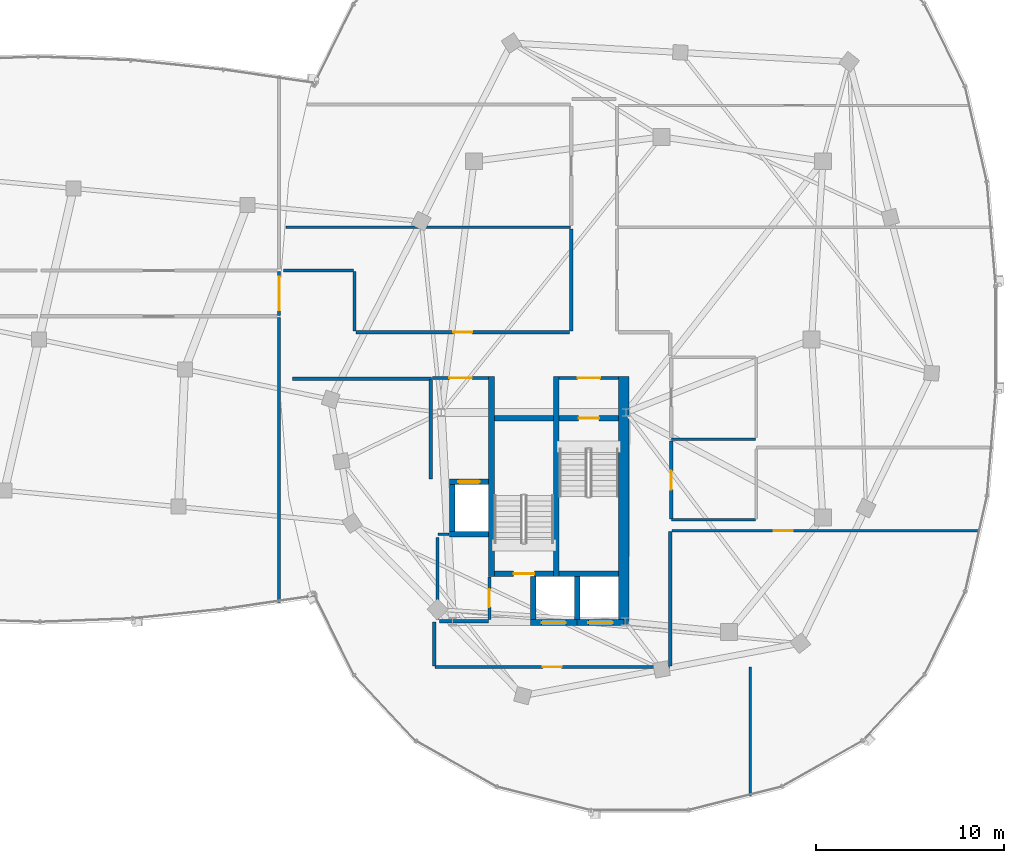
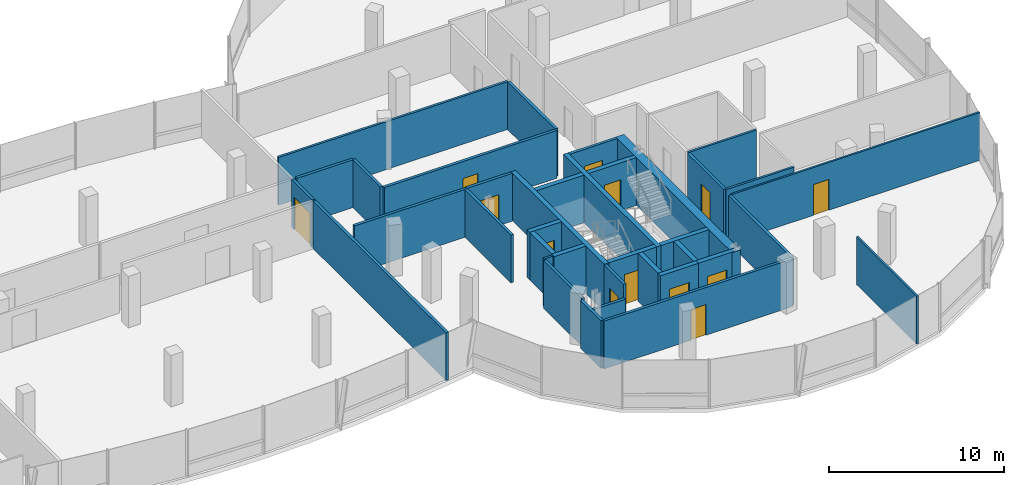
# One storey, part 16 of 25: 37 walls, 13 doors, 13 openings.
"""IFC4 building model written with IfcOpenShell, lengths in metres."""

from ifc_helpers import new_model, si_unit, direction, frame, frame_2d, origin, place, context, subcontext, project, spatial, rectangle, extrude, material, layer, layer_set, type_object, element, fill, save


model = new_model("IFC4")

# Units and contexts
model_context = context("Model", 3, precision=1e-05, world=origin(), true_north=direction((0.0, 1.0)))
body_context = subcontext(model_context, "Body", "Model", "MODEL_VIEW")
ifc_project = project(units=[si_unit("LENGTHUNIT", "METRE"), si_unit("AREAUNIT", "SQUARE_METRE"), si_unit("VOLUMEUNIT", "CUBIC_METRE"), si_unit("PLANEANGLEUNIT", "RADIAN"), si_unit("MASSUNIT", "GRAM", prefix="KILO"), si_unit("THERMODYNAMICTEMPERATUREUNIT", "KELVIN"), si_unit("POWERUNIT", "WATT")], contexts=[model_context])

# Site, building, storey
site_placement = place(None, origin())
site = spatial("IfcSite", under=ifc_project, at=site_placement, CompositionType="ELEMENT")
building_placement = place(site_placement, origin())
building = spatial("IfcBuilding", under=site, at=building_placement, Name="Cundina Bronze Exchange", CompositionType="ELEMENT")
storey_placement = place(building_placement, frame((0.0, 0.0, 246.800048828125)))
storey = spatial("IfcBuildingStorey", under=building, at=storey_placement, Name="L65", CompositionType="ELEMENT", Elevation=246.800048828125)

# Wall
ifc_material_1 = material(Name="Gypsum Fireboard Partition EI120")
ifc_layer_1 = layer(ifc_material_1, 0.179931640625, Name="Gypsum Fireboard Partition EI120")
ifc_layer_set_1 = layer_set([ifc_layer_1], Name="Gypsum Fireboard Partition EI120")
wall_type_1 = type_object("IfcWallType", Name="WL-COR-180", PredefinedType="PARTITIONING", material=ifc_layer_set_1)
wall_1_placement = place(storey_placement, frame((20.889892578125, -7.449951171875, 0.0), z_axis=(0.0, 0.0, 1.0), x_axis=(0.0, 1.0, 0.0)))
element("IfcWall", 1, at=wall_1_placement, inside=storey, type_object=wall_type_1, Name="L65 E Firefighting Lobby Side Wall", PredefinedType="PARTITIONING", context=body_context, shape_type="SweptSolid", body=[
    extrude(rectangle(XDim=5.300048828125, YDim=0.179931640625, at=frame_2d((2.64990234375, 0.0))), origin(), (0.0, 0.0, 1.0), 3.33984375),
])

# Wall, opening, door
wall_2_placement = place(storey_placement, frame((20.97998046875, -2.06005859375, 0.0), z_axis=(0.0, 0.0, 1.0), x_axis=(1.0, 0.0, 0.0)))
wall_2 = element("IfcWall", 2, at=wall_2_placement, inside=storey, type_object=wall_type_1, Name="L65 E Firefighting Lobby Exit Wall", PredefinedType="PARTITIONING", context=body_context, shape_type="SweptSolid", body=[
    extrude(rectangle(XDim=3.0, YDim=0.179931640625, at=frame_2d((1.5, 0.0))), origin(), (0.0, 0.0, 1.0), 3.33984375),
])
opening_1_placement = place(wall_2_placement, frame((0.89990234375, 0.0, 0.0)))
opening_1 = element("IfcOpeningElement", 3, at=opening_1_placement, cuts=wall_2, Name="Opening DF-01", PredefinedType="OPENING", context=body_context, shape_type="SweptSolid", body=[
    extrude(rectangle(XDim=1.199951171875, YDim=2.14990234375, at=frame_2d((0.60009765625, 1.074951171875))), frame((0.0, 0.099853515625, 0.0), z_axis=(0.0, -1.0, 0.0), x_axis=(1.0, 0.0, 0.0)), (0.0, 0.0, 1.0), 0.199951171875),
])
ifc_material_2 = material(Name="Steel ASTM A36 Painted", Category="steel")
door_type_1 = type_object("IfcDoorType", Name="DR-FFL-1200", OperationType="NOTDEFINED", PredefinedType="DOOR", material=ifc_material_2)
door_1_placement = place(opening_1_placement, origin())
door_1 = element("IfcDoor", 4, at=door_1_placement, inside=storey, type_object=door_type_1, Name="L65 E Firefighting Lobby Door", OperationType="SINGLE_SWING_LEFT", OverallHeight=2.14990234375, OverallWidth=1.199951171875, PredefinedType="DOOR", context=body_context, shape_type="SweptSolid", body=[
    extrude(rectangle(XDim=1.199951171875, YDim=2.14990234375, at=frame_2d((0.60009765625, 1.074951171875))), frame((0.0, 0.02490234375, 0.0), z_axis=(0.0, -1.0, 0.0), x_axis=(1.0, 0.0, 0.0)), (0.0, 0.0, 1.0), 0.050048828125),
])
fill(opening_1, door_1)

wall_3_placement = place(storey_placement, frame((27.739990234375, -2.06005859375, 0.0), z_axis=(0.0, 0.0, 1.0), x_axis=(1.0, 0.0, 0.0)))
wall_3 = element("IfcWall", 5, at=wall_3_placement, inside=storey, type_object=wall_type_1, Name="L65 E Stair Vestibule Exit Wall", PredefinedType="PARTITIONING", context=body_context, shape_type="SweptSolid", body=[
    extrude(rectangle(XDim=3.159912109375, YDim=0.179931640625, at=frame_2d((1.580078125, 0.0))), origin(), (0.0, 0.0, 1.0), 3.33984375),
])
opening_2_placement = place(wall_3_placement, frame((0.97998046875, 0.0, 0.0)))
opening_2 = element("IfcOpeningElement", 6, at=opening_2_placement, cuts=wall_3, Name="Opening DF-01", PredefinedType="OPENING", context=body_context, shape_type="SweptSolid", body=[
    extrude(rectangle(XDim=1.199951171875, YDim=2.14990234375, at=frame_2d((0.60009765625, 1.074951171875))), frame((0.0, 0.099853515625, 0.0), z_axis=(0.0, -1.0, 0.0), x_axis=(1.0, 0.0, 0.0)), (0.0, 0.0, 1.0), 0.199951171875),
])
door_2_placement = place(opening_2_placement, origin())
door_2 = element("IfcDoor", 7, at=door_2_placement, inside=storey, type_object=door_type_1, Name="L65 E Stair Vestibule Door", OperationType="SINGLE_SWING_RIGHT", OverallHeight=2.14990234375, OverallWidth=1.199951171875, PredefinedType="DOOR", context=body_context, shape_type="SweptSolid", body=[
    extrude(rectangle(XDim=1.199951171875, YDim=2.14990234375, at=frame_2d((0.60009765625, 1.074951171875))), frame((0.0, 0.02490234375, 0.0), z_axis=(0.0, -1.0, 0.0), x_axis=(1.0, 0.0, 0.0)), (0.0, 0.0, 1.0), 0.050048828125),
])
fill(opening_2, door_2)

# Walls
wall_4_placement = place(storey_placement, frame((21.25, -14.929931640625, 0.0), z_axis=(0.0, 0.0, 1.0), x_axis=(0.0, 1.0, 0.0)))
element("IfcWall", 8, at=wall_4_placement, inside=storey, type_object=wall_type_1, Name="L65 Interior Partition 037", PredefinedType="PARTITIONING", context=body_context, shape_type="SweptSolid", body=[
    extrude(rectangle(XDim=4.35986328125, YDim=0.179931640625, at=frame_2d((2.179931640625, 0.0))), origin(), (0.0, 0.0, 1.0), 3.33984375),
])
wall_5_placement = place(storey_placement, frame((21.35009765625, -15.030029296875, 0.0), z_axis=(0.0, 0.0, 1.0), x_axis=(1.0, 0.0, 0.0)))
element("IfcWall", 9, at=wall_5_placement, inside=storey, type_object=wall_type_1, Name="L65 Interior Partition 038", PredefinedType="PARTITIONING", context=body_context, shape_type="SweptSolid", body=[
    extrude(rectangle(XDim=2.60986328125, YDim=0.179931640625, at=frame_2d((1.304931640625, 0.0))), origin(), (0.0, 0.0, 1.0), 2.412841796875),
])

# Wall, opening, door
wall_6_placement = place(storey_placement, frame((24.02001953125, -14.929931640625, 0.0), z_axis=(0.0, 0.0, 1.0), x_axis=(0.0, 1.0, 0.0)))
wall_6 = element("IfcWall", 10, at=wall_6_placement, inside=storey, type_object=wall_type_1, Name="L65 Interior Partition 039", PredefinedType="PARTITIONING", context=body_context, shape_type="SweptSolid", body=[
    extrude(rectangle(XDim=2.260009765625, YDim=0.179931640625, at=frame_2d((1.1298828125, 0.0))), origin(), (0.0, 0.0, 1.0), 3.33984375),
])
opening_3_placement = place(wall_6_placement, frame((0.655029296875, 0.0, 0.0)))
opening_3 = element("IfcOpeningElement", 11, at=opening_3_placement, cuts=wall_6, Name="Opening DW-01", PredefinedType="OPENING", context=body_context, shape_type="SweptSolid", body=[
    extrude(rectangle(XDim=0.949951171875, YDim=2.10009765625, at=frame_2d((0.47509765625, 1.050048828125))), frame((0.0, 0.099853515625, 0.0), z_axis=(0.0, -1.0, 0.0), x_axis=(1.0, 0.0, 0.0)), (0.0, 0.0, 1.0), 0.199951171875),
])
ifc_material_3 = material(Name="Solid Andean Oak Timber Grade A", Category="wood")
door_type_2 = type_object("IfcDoorType", Name="DR-WC-950", OperationType="NOTDEFINED", PredefinedType="DOOR", material=ifc_material_3)
door_3_placement = place(opening_3_placement, origin())
door_3 = element("IfcDoor", 12, at=door_3_placement, inside=storey, type_object=door_type_2, Name="L65 Interior Door 039", OperationType="SINGLE_SWING_LEFT", OverallHeight=2.10009765625, OverallWidth=0.949951171875, PredefinedType="DOOR", context=body_context, shape_type="SweptSolid", body=[
    extrude(rectangle(XDim=0.949951171875, YDim=2.10009765625, at=frame_2d((0.47509765625, 1.050048828125))), frame((0.0, 0.02490234375, 0.0), z_axis=(0.0, -1.0, 0.0), x_axis=(1.0, 0.0, 0.0)), (0.0, 0.0, 1.0), 0.050048828125),
])
fill(opening_3, door_3)

wall_7_placement = place(storey_placement, frame((33.719970703125, -9.590087890625, 0.0), z_axis=(0.0, 0.0, 1.0), x_axis=(0.0, 1.0, 0.0)))
wall_7 = element("IfcWall", 13, at=wall_7_placement, inside=storey, type_object=wall_type_1, Name="L65 Interior Partition 046", PredefinedType="PARTITIONING", context=body_context, shape_type="SweptSolid", body=[
    extrude(rectangle(XDim=4.16015625, YDim=0.179931640625, at=frame_2d((2.080078125, 0.0))), origin(), (0.0, 0.0, 1.0), 3.33984375),
])
opening_4_placement = place(wall_7_placement, frame((1.580078125, 0.0, 0.0)))
opening_4 = element("IfcOpeningElement", 14, at=opening_4_placement, cuts=wall_7, Name="Opening DO-01", PredefinedType="OPENING", context=body_context, shape_type="SweptSolid", body=[
    extrude(rectangle(XDim=1.0, YDim=2.14990234375, at=frame_2d((0.5, 1.074951171875))), frame((0.0, 0.099853515625, 0.0), z_axis=(0.0, -1.0, 0.0), x_axis=(1.0, 0.0, 0.0)), (0.0, 0.0, 1.0), 0.199951171875),
])
door_type_3 = type_object("IfcDoorType", Name="DR-OFF-1000", OperationType="NOTDEFINED", PredefinedType="DOOR", material=ifc_material_3)
door_4_placement = place(opening_4_placement, origin())
door_4 = element("IfcDoor", 15, at=door_4_placement, inside=storey, type_object=door_type_3, Name="L65 Interior Door 046", OperationType="SINGLE_SWING_LEFT", OverallHeight=2.14990234375, OverallWidth=1.0, PredefinedType="DOOR", context=body_context, shape_type="SweptSolid", body=[
    extrude(rectangle(XDim=1.0, YDim=2.14990234375, at=frame_2d((0.5, 1.074951171875))), frame((0.0, 0.02490234375, 0.0), z_axis=(0.0, -1.0, 0.0), x_axis=(1.0, 0.0, 0.0)), (0.0, 0.0, 1.0), 0.050048828125),
])
fill(opening_4, door_4)

wall_8_placement = place(storey_placement, frame((21.12158203125, -17.469970703125, 0.0), z_axis=(0.0, 0.0, 1.0), x_axis=(1.0, 0.0, 0.0)))
wall_8 = element("IfcWall", 16, at=wall_8_placement, inside=storey, type_object=wall_type_1, Name="L65 Interior Partition 052", PredefinedType="PARTITIONING", context=body_context, shape_type="SweptSolid", body=[
    extrude(rectangle(XDim=12.5068359375, YDim=0.179931640625, at=frame_2d((6.25341796875, 0.0))), origin(), (0.0, 0.0, 1.0), 3.33984375),
])
opening_5_placement = place(wall_8_placement, frame((5.75341796875, 0.0, 0.0)))
opening_5 = element("IfcOpeningElement", 17, at=opening_5_placement, cuts=wall_8, Name="Opening DO-01", PredefinedType="OPENING", context=body_context, shape_type="SweptSolid", body=[
    extrude(rectangle(XDim=1.0, YDim=2.14990234375, at=frame_2d((0.5, 1.074951171875))), frame((0.0, 0.099853515625, 0.0), z_axis=(0.0, -1.0, 0.0), x_axis=(1.0, 0.0, 0.0)), (0.0, 0.0, 1.0), 0.199951171875),
])
door_5_placement = place(opening_5_placement, origin())
door_5 = element("IfcDoor", 18, at=door_5_placement, inside=storey, type_object=door_type_3, Name="L65 Interior Door 052", OperationType="SINGLE_SWING_LEFT", OverallHeight=2.14990234375, OverallWidth=1.0, PredefinedType="DOOR", context=body_context, shape_type="SweptSolid", body=[
    extrude(rectangle(XDim=1.0, YDim=2.14990234375, at=frame_2d((0.5, 1.074951171875))), frame((0.0, 0.02490234375, 0.0), z_axis=(0.0, -1.0, 0.0), x_axis=(1.0, 0.0, 0.0)), (0.0, 0.0, 1.0), 0.050048828125),
])
fill(opening_5, door_5)

# Walls
wall_9_placement = place(storey_placement, frame((13.521484375, -2.10009765625, 0.0), z_axis=(0.0, 0.0, 1.0), x_axis=(1.0, 0.0, 0.0)))
element("IfcWall", 19, at=wall_9_placement, inside=storey, type_object=wall_type_1, Name="L65 Interior Partition 053", PredefinedType="PARTITIONING", context=body_context, shape_type="SweptSolid", body=[
    extrude(rectangle(XDim=7.3984375, YDim=0.179931640625, at=frame_2d((3.69921875, 0.0))), origin(), (0.0, 0.0, 1.0), 3.33984375),
])
wall_10_placement = place(storey_placement, frame((33.669921875, -17.428466796875, 0.0), z_axis=(0.0, 0.0, 1.0), x_axis=(0.0, 1.0, 0.0)))
element("IfcWall", 20, at=wall_10_placement, inside=storey, type_object=wall_type_1, Name="L65 Interior Partition 054", PredefinedType="PARTITIONING", context=body_context, shape_type="SweptSolid", body=[
    extrude(rectangle(XDim=7.178466796875, YDim=0.179931640625, at=frame_2d((3.58935546875, 0.0))), origin(), (0.0, 0.0, 1.0), 3.33984375),
])
wall_11_placement = place(storey_placement, frame((21.080078125, -15.071533203125, 0.0), z_axis=(0.0, 0.0, 1.0), x_axis=(0.0, -1.0, 0.0)))
element("IfcWall", 21, at=wall_11_placement, inside=storey, type_object=wall_type_1, Name="L65 Interior Partition 055", PredefinedType="PARTITIONING", context=body_context, shape_type="SweptSolid", body=[
    extrude(rectangle(XDim=2.35693359375, YDim=0.179931640625, at=frame_2d((1.178466796875, 0.0))), origin(), (0.0, 0.0, 1.0), 3.33984375),
])

# Wall, opening, door
wall_12_placement = place(storey_placement, frame((28.300048828125, 0.3701171875, 0.0), z_axis=(0.0, 0.0, 1.0), x_axis=(-1.0, 0.0, 0.0)))
wall_12 = element("IfcWall", 22, at=wall_12_placement, inside=storey, type_object=wall_type_1, Name="L65 Interior Partition 059", PredefinedType="PARTITIONING", context=body_context, shape_type="SweptSolid", body=[
    extrude(rectangle(XDim=11.400146484375, YDim=0.179931640625, at=frame_2d((5.7001953125, 0.0))), origin(), (0.0, 0.0, 1.0), 3.33984375),
])
opening_6_placement = place(wall_12_placement, frame((5.199951171875, 0.0, 0.0)))
opening_6 = element("IfcOpeningElement", 23, at=opening_6_placement, cuts=wall_12, Name="Opening DO-01", PredefinedType="OPENING", context=body_context, shape_type="SweptSolid", body=[
    extrude(rectangle(XDim=1.0, YDim=2.14990234375, at=frame_2d((0.5, 1.074951171875))), frame((0.0, 0.099853515625, 0.0), z_axis=(0.0, -1.0, 0.0), x_axis=(1.0, 0.0, 0.0)), (0.0, 0.0, 1.0), 0.199951171875),
])
door_6_placement = place(opening_6_placement, origin())
door_6 = element("IfcDoor", 24, at=door_6_placement, inside=storey, type_object=door_type_3, Name="L65 Interior Door 059", OperationType="SINGLE_SWING_LEFT", OverallHeight=2.14990234375, OverallWidth=1.0, PredefinedType="DOOR", context=body_context, shape_type="SweptSolid", body=[
    extrude(rectangle(XDim=1.0, YDim=2.14990234375, at=frame_2d((0.5, 1.074951171875))), frame((0.0, 0.02490234375, 0.0), z_axis=(0.0, -1.0, 0.0), x_axis=(1.0, 0.0, 0.0)), (0.0, 0.0, 1.0), 0.050048828125),
])
fill(opening_6, door_6)

# Walls
wall_13_placement = place(storey_placement, frame((28.3798828125, 5.889892578125, 0.0), z_axis=(0.0, 0.0, 1.0), x_axis=(0.0, -1.0, 0.0)))
element("IfcWall", 25, at=wall_13_placement, inside=storey, type_object=wall_type_1, Name="L65 Interior Partition 060", PredefinedType="PARTITIONING", context=body_context, shape_type="SweptSolid", body=[
    extrude(rectangle(XDim=5.43994140625, YDim=0.179931640625, at=frame_2d((2.719970703125, 0.0))), origin(), (0.0, 0.0, 1.0), 3.33984375),
])
wall_14_placement = place(storey_placement, frame((16.778564453125, 3.669921875, 0.0), z_axis=(0.0, 0.0, 1.0), x_axis=(-1.0, 0.0, 0.0)))
element("IfcWall", 26, at=wall_14_placement, inside=storey, type_object=wall_type_1, Name="L65 Interior Partition 061", PredefinedType="PARTITIONING", context=body_context, shape_type="SweptSolid", body=[
    extrude(rectangle(XDim=3.7529296875, YDim=0.179931640625, at=frame_2d((1.87646484375, 0.0))), origin(), (0.0, 0.0, 1.0), 3.33984375),
])
wall_15_placement = place(storey_placement, frame((16.820068359375, 0.449951171875, 0.0), z_axis=(0.0, 0.0, 1.0), x_axis=(0.0, 1.0, 0.0)))
element("IfcWall", 27, at=wall_15_placement, inside=storey, type_object=wall_type_1, Name="L65 Interior Partition 062", PredefinedType="PARTITIONING", context=body_context, shape_type="SweptSolid", body=[
    extrude(rectangle(XDim=3.178466796875, YDim=0.179931640625, at=frame_2d((1.58935546875, 0.0))), origin(), (0.0, 0.0, 1.0), 3.33984375),
])
wall_16_placement = place(storey_placement, frame((12.800048828125, -14.043701171875, 0.0), z_axis=(0.0, 0.0, 1.0), x_axis=(0.0, 1.0, 0.0)))
element("IfcWall", 28, at=wall_16_placement, inside=storey, type_object=wall_type_1, Name="L65 Interior Partition 076", PredefinedType="PARTITIONING", context=body_context, shape_type="SweptSolid", body=[
    extrude(rectangle(XDim=15.20361328125, YDim=0.179931640625, at=frame_2d((7.601806640625, 0.0))), origin(), (0.0, 0.0, 1.0), 3.33984375),
])

# Wall, opening, door
wall_17_placement = place(storey_placement, frame((12.800048828125, 1.280029296875, 0.0), z_axis=(0.0, 0.0, 1.0), x_axis=(0.0, 1.0, 0.0)))
wall_17 = element("IfcWall", 29, at=wall_17_placement, inside=storey, type_object=wall_type_1, Name="L65 Interior Partition 078", PredefinedType="PARTITIONING", context=body_context, shape_type="SweptSolid", body=[
    extrude(rectangle(XDim=2.340087890625, YDim=0.179931640625, at=frame_2d((1.169921875, 0.0))), origin(), (0.0, 0.0, 1.0), 3.33984375),
])
opening_7_placement = place(wall_17_placement, frame((0.27001953125, 0.0, 0.0)))
opening_7 = element("IfcOpeningElement", 30, at=opening_7_placement, cuts=wall_17, Name="Opening DB-01", PredefinedType="OPENING", context=body_context, shape_type="SweptSolid", body=[
    extrude(rectangle(XDim=1.800048828125, YDim=2.25, at=frame_2d((0.89990234375, 1.125))), frame((0.0, 0.099853515625, 0.0), z_axis=(0.0, -1.0, 0.0), x_axis=(1.0, 0.0, 0.0)), (0.0, 0.0, 1.0), 0.199951171875),
])
door_type_4 = type_object("IfcDoorType", Name="DR-BRG-1800", OperationType="NOTDEFINED", PredefinedType="DOOR", material=ifc_material_2)
door_7_placement = place(opening_7_placement, origin())
door_7 = element("IfcDoor", 31, at=door_7_placement, inside=storey, type_object=door_type_4, Name="L65 Interior Door 078", OperationType="DOUBLE_DOOR_SINGLE_SWING", OverallHeight=2.25, OverallWidth=1.800048828125, PredefinedType="DOOR", context=body_context, shape_type="SweptSolid", body=[
    extrude(rectangle(XDim=1.800048828125, YDim=2.25, at=frame_2d((0.89990234375, 1.125))), frame((0.0, 0.02490234375, 0.0), z_axis=(0.0, -1.0, 0.0), x_axis=(1.0, 0.0, 0.0)), (0.0, 0.0, 1.0), 0.050048828125),
])
fill(opening_7, door_7)

# Walls
ifc_material_4 = material(Name="Concrete C50/60", Category="concrete")
ifc_layer_2 = layer(ifc_material_4, 0.550048828125, Name="Concrete C50/60", Category="concrete")
ifc_layer_set_2 = layer_set([ifc_layer_2], Name="Concrete C50/60")
wall_type_2 = type_object("IfcWallType", Name="WL-CORE-550", PredefinedType="SHEAR", material=ifc_layer_set_2)
wall_18_placement = place(storey_placement, frame((31.175048828125, -15.300048828125, 0.0), z_axis=(0.0, 0.0, 1.0), x_axis=(0.0, 1.0, 0.0)))
element("IfcWall", 32, at=wall_18_placement, inside=storey, type_object=wall_type_2, Name="L65 E Primary Core Shear Spine Wall", PredefinedType="SHEAR", context=body_context, shape_type="SweptSolid", body=[
    extrude(rectangle(XDim=13.330078125, YDim=0.550048828125, at=frame_2d((6.6650390625, 0.0))), origin(), (0.0, 0.0, 1.0), 3.33984375),
])
ifc_material_5 = material(Name="Gypsum Acoustic Partition EI60")
ifc_layer_3 = layer(ifc_material_5, 0.125, Name="Gypsum Acoustic Partition EI60")
ifc_layer_set_3 = layer_set([ifc_layer_3], Name="Gypsum Acoustic Partition EI60")
wall_type_3 = type_object("IfcWallType", Name="WL-OFF-125", PredefinedType="PARTITIONING", material=ifc_layer_set_3)
wall_19_placement = place(storey_placement, frame((37.919921875, -24.3603515625, 0.0), z_axis=(0.0, 0.0, 1.0), x_axis=(0.0, 1.0, 0.0)))
element("IfcWall", 33, at=wall_19_placement, inside=storey, type_object=wall_type_3, Name="L65 Interior Partition 051", PredefinedType="PARTITIONING", context=body_context, shape_type="SweptSolid", body=[
    extrude(rectangle(XDim=6.890380859375, YDim=0.125, at=frame_2d((3.4453125, 0.0))), origin(), (0.0, 0.0, 1.0), 3.33984375),
])

# Wall, opening, door
wall_20_placement = place(storey_placement, frame((50.19140625, -10.2099609375, 0.0), z_axis=(0.0, 0.0, 1.0), x_axis=(-1.0, 0.0, 0.0)))
wall_20 = element("IfcWall", 34, at=wall_20_placement, inside=storey, type_object=wall_type_3, Name="L65 Interior Partition 066", PredefinedType="PARTITIONING", context=body_context, shape_type="SweptSolid", body=[
    extrude(rectangle(XDim=16.44140625, YDim=0.125, at=frame_2d((8.220703125, 0.0))), origin(), (0.0, 0.0, 1.0), 3.33984375),
])
opening_8_placement = place(wall_20_placement, frame((10.000732421875, 0.0, 0.0)))
opening_8 = element("IfcOpeningElement", 35, at=opening_8_placement, cuts=wall_20, Name="Opening DO-01", PredefinedType="OPENING", context=body_context, shape_type="SweptSolid", body=[
    extrude(rectangle(XDim=1.0, YDim=2.14990234375, at=frame_2d((0.5, 1.074951171875))), frame((0.0, 0.072509765625, 0.0), z_axis=(0.0, -1.0, 0.0), x_axis=(1.0, 0.0, 0.0)), (0.0, 0.0, 1.0), 0.14501953125),
])
door_8_placement = place(opening_8_placement, origin())
door_8 = element("IfcDoor", 36, at=door_8_placement, inside=storey, type_object=door_type_3, Name="L65 Interior Door 066", OperationType="SINGLE_SWING_RIGHT", OverallHeight=2.14990234375, OverallWidth=1.0, PredefinedType="DOOR", context=body_context, shape_type="SweptSolid", body=[
    extrude(rectangle(XDim=1.0, YDim=2.14990234375, at=frame_2d((0.5, 1.074951171875))), frame((0.0, 0.02490234375, 0.0), z_axis=(0.0, -1.0, 0.0), x_axis=(1.0, 0.0, 0.0)), (0.0, 0.0, 1.0), 0.050048828125),
])
fill(opening_8, door_8)

# Walls
ifc_layer_4 = layer(ifc_material_4, 0.300048828125, Name="Concrete C50/60", Category="concrete")
ifc_layer_set_4 = layer_set([ifc_layer_4], Name="Concrete C50/60")
wall_type_4 = type_object("IfcWallType", Name="WL-SHFT-300", PredefinedType="SHEAR", material=ifc_layer_set_4)
for number, where, z_axis, x_axis, name in (
    (37, (27.590087890625, -12.64990234375, 0.0), (0.0, 0.0, 1.0), (0.0, 1.0, 0.0), "L65 E Stair Shaft Dividing Shear Wall"),
    (38, (24.1298828125, -12.64990234375, 0.0), (0.0, 0.0, 1.0), (0.0, 1.0, 0.0), "L65 E Stair 2 East Shear Wall"),
):
    element("IfcWall", number, at=place(storey_placement, frame(where, z_axis=z_axis, x_axis=x_axis)), inside=storey, type_object=wall_type_4, Name=name, PredefinedType="SHEAR", context=body_context, shape_type="SweptSolid", body=[
        extrude(rectangle(XDim=10.679931640625, YDim=0.300048828125, at=frame_2d((5.33984375, 0.0))), origin(), (0.0, 0.0, 1.0), 3.33984375),
    ])

# Wall, opening, door
wall_21_placement = place(storey_placement, frame((27.739990234375, -4.199951171875, 0.0), z_axis=(0.0, 0.0, 1.0), x_axis=(1.0, 0.0, 0.0)))
wall_21 = element("IfcWall", 39, at=wall_21_placement, inside=storey, type_object=wall_type_4, Name="L65 Stair E1 Landing Wall", PredefinedType="SHEAR", context=body_context, shape_type="SweptSolid", body=[
    extrude(rectangle(XDim=3.159912109375, YDim=0.300048828125, at=frame_2d((1.580078125, 0.0))), origin(), (0.0, 0.0, 1.0), 3.33984375),
])
opening_9_placement = place(wall_21_placement, frame((1.030029296875, 0.0, 0.0)))
opening_9 = element("IfcOpeningElement", 40, at=opening_9_placement, cuts=wall_21, Name="Opening DS-01", PredefinedType="OPENING", context=body_context, shape_type="SweptSolid", body=[
    extrude(rectangle(XDim=1.10009765625, YDim=2.14990234375, at=frame_2d((0.550048828125, 1.074951171875))), frame((0.0, 0.159912109375, 0.0), z_axis=(0.0, -1.0, 0.0), x_axis=(1.0, 0.0, 0.0)), (0.0, 0.0, 1.0), 0.320068359375),
])
door_type_5 = type_object("IfcDoorType", Name="DR-STR-1100", OperationType="NOTDEFINED", PredefinedType="DOOR", material=ifc_material_2)
door_9_placement = place(opening_9_placement, origin())
door_9 = element("IfcDoor", 41, at=door_9_placement, inside=storey, type_object=door_type_5, Name="L65 Smokeproof Stair E1 Door", OperationType="SINGLE_SWING_LEFT", OverallHeight=2.14990234375, OverallWidth=1.10009765625, PredefinedType="DOOR", context=body_context, shape_type="SweptSolid", body=[
    extrude(rectangle(XDim=1.10009765625, YDim=2.14990234375, at=frame_2d((0.550048828125, 1.074951171875))), frame((0.0, 0.02490234375, 0.0), z_axis=(0.0, -1.0, 0.0), x_axis=(1.0, 0.0, 0.0)), (0.0, 0.0, 1.0), 0.050048828125),
])
fill(opening_9, door_9)

# Wall
wall_22_placement = place(storey_placement, frame((27.739990234375, -12.5, 0.0), z_axis=(0.0, 0.0, 1.0), x_axis=(1.0, 0.0, 0.0)))
element("IfcWall", 42, at=wall_22_placement, inside=storey, type_object=wall_type_4, Name="L65 Stair E1 Far Shaft Wall", PredefinedType="SHEAR", context=body_context, shape_type="SweptSolid", body=[
    extrude(rectangle(XDim=3.159912109375, YDim=0.300048828125, at=frame_2d((1.580078125, 0.0))), origin(), (0.0, 0.0, 1.0), 3.33984375),
])

# Wall, opening, door
wall_23_placement = place(storey_placement, frame((24.280029296875, -12.5, 0.0), z_axis=(0.0, 0.0, 1.0), x_axis=(1.0, 0.0, 0.0)))
wall_23 = element("IfcWall", 43, at=wall_23_placement, inside=storey, type_object=wall_type_4, Name="L65 Stair E2 Landing Wall", PredefinedType="SHEAR", context=body_context, shape_type="SweptSolid", body=[
    extrude(rectangle(XDim=3.159912109375, YDim=0.300048828125, at=frame_2d((1.580078125, 0.0))), origin(), (0.0, 0.0, 1.0), 3.33984375),
])
opening_10_placement = place(wall_23_placement, frame((1.030029296875, 0.0, 0.0)))
opening_10 = element("IfcOpeningElement", 44, at=opening_10_placement, cuts=wall_23, Name="Opening DS-01", PredefinedType="OPENING", context=body_context, shape_type="SweptSolid", body=[
    extrude(rectangle(XDim=1.10009765625, YDim=2.14990234375, at=frame_2d((0.550048828125, 1.074951171875))), frame((0.0, 0.159912109375, 0.0), z_axis=(0.0, -1.0, 0.0), x_axis=(1.0, 0.0, 0.0)), (0.0, 0.0, 1.0), 0.320068359375),
])
door_10_placement = place(opening_10_placement, origin())
door_10 = element("IfcDoor", 45, at=door_10_placement, inside=storey, type_object=door_type_5, Name="L65 Smokeproof Stair E2 Door", OperationType="SINGLE_SWING_RIGHT", OverallHeight=2.14990234375, OverallWidth=1.10009765625, PredefinedType="DOOR", context=body_context, shape_type="SweptSolid", body=[
    extrude(rectangle(XDim=1.10009765625, YDim=2.14990234375, at=frame_2d((0.550048828125, 1.074951171875))), frame((0.0, 0.02490234375, 0.0), z_axis=(0.0, -1.0, 0.0), x_axis=(1.0, 0.0, 0.0)), (0.0, 0.0, 1.0), 0.050048828125),
])
fill(opening_10, door_10)

# Wall
wall_24_placement = place(storey_placement, frame((24.280029296875, -4.199951171875, 0.0), z_axis=(0.0, 0.0, 1.0), x_axis=(1.0, 0.0, 0.0)))
element("IfcWall", 46, at=wall_24_placement, inside=storey, type_object=wall_type_4, Name="L65 Stair E2 Far Shaft Wall", PredefinedType="SHEAR", context=body_context, shape_type="SweptSolid", body=[
    extrude(rectangle(XDim=3.159912109375, YDim=0.300048828125, at=frame_2d((1.580078125, 0.0))), origin(), (0.0, 0.0, 1.0), 3.33984375),
])

# Wall, opening, door
wall_25_placement = place(storey_placement, frame((21.8798828125, -7.60009765625, 0.0), z_axis=(0.0, 0.0, 1.0), x_axis=(1.0, 0.0, 0.0)))
wall_25 = element("IfcWall", 47, at=wall_25_placement, inside=storey, type_object=wall_type_4, Name="L65 FFL-E Hoistway Front Wall", PredefinedType="SHEAR", context=body_context, shape_type="SweptSolid", body=[
    extrude(rectangle(XDim=2.10009765625, YDim=0.300048828125, at=frame_2d((1.050048828125, 0.0))), origin(), (0.0, 0.0, 1.0), 3.33984375),
])
opening_11_placement = place(wall_25_placement, frame((0.47509765625, 0.0, 0.0)))
opening_11 = element("IfcOpeningElement", 48, at=opening_11_placement, cuts=wall_25, Name="Opening LD-01", PredefinedType="OPENING", context=body_context, shape_type="SweptSolid", body=[
    extrude(rectangle(XDim=1.14990234375, YDim=2.199951171875, at=frame_2d((0.574951171875, 1.10009765625))), frame((0.0, 0.159912109375, 0.0), z_axis=(0.0, -1.0, 0.0), x_axis=(1.0, 0.0, 0.0)), (0.0, 0.0, 1.0), 0.320068359375),
])
door_type_6 = type_object("IfcDoorType", Name="DR-LND-1150", OperationType="NOTDEFINED", PredefinedType="TRAPDOOR", material=ifc_material_2)
door_11_placement = place(opening_11_placement, origin())
door_11 = element("IfcDoor", 49, at=door_11_placement, inside=storey, type_object=door_type_6, Name="L65 FFL-E Sliding Landing Door", OperationType="SLIDING_TO_LEFT", OverallHeight=2.199951171875, OverallWidth=1.14990234375, PredefinedType="TRAPDOOR", context=body_context, shape_type="SweptSolid", body=[
    extrude(rectangle(XDim=1.14990234375, YDim=2.199951171875, at=frame_2d((0.574951171875, 1.10009765625))), frame((0.0, 0.02490234375, 0.0), z_axis=(0.0, -1.0, 0.0), x_axis=(1.0, 0.0, 0.0)), (0.0, 0.0, 1.0), 0.050048828125),
])
fill(opening_11, door_11)

# Walls
wall_26_placement = place(storey_placement, frame((21.8798828125, -10.39990234375, 0.0), z_axis=(0.0, 0.0, 1.0), x_axis=(1.0, 0.0, 0.0)))
element("IfcWall", 50, at=wall_26_placement, inside=storey, type_object=wall_type_4, Name="L65 FFL-E Hoistway Back Wall", PredefinedType="SHEAR", context=body_context, shape_type="SweptSolid", body=[
    extrude(rectangle(XDim=2.10009765625, YDim=0.300048828125, at=frame_2d((1.050048828125, 0.0))), origin(), (0.0, 0.0, 1.0), 3.33984375),
])
wall_27_placement = place(storey_placement, frame((22.030029296875, -10.25, 0.0), z_axis=(0.0, 0.0, 1.0), x_axis=(0.0, 1.0, 0.0)))
element("IfcWall", 51, at=wall_27_placement, inside=storey, type_object=wall_type_4, Name="L65 FFL-E Hoistway Side Wall", PredefinedType="SHEAR", context=body_context, shape_type="SweptSolid", body=[
    extrude(rectangle(XDim=2.5, YDim=0.300048828125, at=frame_2d((1.25, 0.0))), origin(), (0.0, 0.0, 1.0), 3.33984375),
])

# Wall, opening, door
wall_28_placement = place(storey_placement, frame((28.699951171875, -15.10009765625, 0.0), z_axis=(0.0, 0.0, 1.0), x_axis=(1.0, 0.0, 0.0)))
wall_28 = element("IfcWall", 52, at=wall_28_placement, inside=storey, type_object=wall_type_4, Name="L65 PH-E1 Hoistway Front Wall", PredefinedType="SHEAR", context=body_context, shape_type="SweptSolid", body=[
    extrude(rectangle(XDim=2.5, YDim=0.300048828125, at=frame_2d((1.25, 0.0))), origin(), (0.0, 0.0, 1.0), 3.33984375),
])
opening_12_placement = place(wall_28_placement, frame((0.60009765625, 0.0, 0.0)))
opening_12 = element("IfcOpeningElement", 53, at=opening_12_placement, cuts=wall_28, Name="Opening LD-02", PredefinedType="OPENING", context=body_context, shape_type="SweptSolid", body=[
    extrude(rectangle(XDim=1.300048828125, YDim=2.199951171875, at=frame_2d((0.64990234375, 1.10009765625))), frame((0.0, 0.159912109375, 0.0), z_axis=(0.0, -1.0, 0.0), x_axis=(1.0, 0.0, 0.0)), (0.0, 0.0, 1.0), 0.320068359375),
])
door_type_7 = type_object("IfcDoorType", Name="DR-LND-1300", OperationType="NOTDEFINED", PredefinedType="TRAPDOOR", material=ifc_material_2)
door_12_placement = place(opening_12_placement, origin())
door_12 = element("IfcDoor", 54, at=door_12_placement, inside=storey, type_object=door_type_7, Name="L65 PH-E1 Sliding Landing Door", OperationType="SLIDING_TO_LEFT", OverallHeight=2.199951171875, OverallWidth=1.300048828125, PredefinedType="TRAPDOOR", context=body_context, shape_type="SweptSolid", body=[
    extrude(rectangle(XDim=1.300048828125, YDim=2.199951171875, at=frame_2d((0.64990234375, 1.10009765625))), frame((0.0, 0.02490234375, 0.0), z_axis=(0.0, -1.0, 0.0), x_axis=(1.0, 0.0, 0.0)), (0.0, 0.0, 1.0), 0.050048828125),
])
fill(opening_12, door_12)

# Wall
wall_29_placement = place(storey_placement, frame((28.699951171875, -14.949951171875, 0.0), z_axis=(0.0, 0.0, 1.0), x_axis=(0.0, 1.0, 0.0)))
element("IfcWall", 55, at=wall_29_placement, inside=storey, type_object=wall_type_4, Name="L65 PH-E1 Hoistway Divider Wall", PredefinedType="SHEAR", context=body_context, shape_type="SweptSolid", body=[
    extrude(rectangle(XDim=2.300048828125, YDim=0.300048828125, at=frame_2d((1.14990234375, 0.0))), origin(), (0.0, 0.0, 1.0), 3.33984375),
])

# Wall, opening, door
wall_30_placement = place(storey_placement, frame((26.199951171875, -15.10009765625, 0.0), z_axis=(0.0, 0.0, 1.0), x_axis=(1.0, 0.0, 0.0)))
wall_30 = element("IfcWall", 56, at=wall_30_placement, inside=storey, type_object=wall_type_4, Name="L65 PH-E2 Hoistway Front Wall", PredefinedType="SHEAR", context=body_context, shape_type="SweptSolid", body=[
    extrude(rectangle(XDim=2.5, YDim=0.300048828125, at=frame_2d((1.25, 0.0))), origin(), (0.0, 0.0, 1.0), 3.33984375),
])
opening_13_placement = place(wall_30_placement, frame((0.60009765625, 0.0, 0.0)))
opening_13 = element("IfcOpeningElement", 57, at=opening_13_placement, cuts=wall_30, Name="Opening LD-02", PredefinedType="OPENING", context=body_context, shape_type="SweptSolid", body=[
    extrude(rectangle(XDim=1.300048828125, YDim=2.199951171875, at=frame_2d((0.64990234375, 1.10009765625))), frame((0.0, 0.159912109375, 0.0), z_axis=(0.0, -1.0, 0.0), x_axis=(1.0, 0.0, 0.0)), (0.0, 0.0, 1.0), 0.320068359375),
])
door_13_placement = place(opening_13_placement, origin())
door_13 = element("IfcDoor", 58, at=door_13_placement, inside=storey, type_object=door_type_7, Name="L65 PH-E2 Sliding Landing Door", OperationType="SLIDING_TO_LEFT", OverallHeight=2.199951171875, OverallWidth=1.300048828125, PredefinedType="TRAPDOOR", context=body_context, shape_type="SweptSolid", body=[
    extrude(rectangle(XDim=1.300048828125, YDim=2.199951171875, at=frame_2d((0.64990234375, 1.10009765625))), frame((0.0, 0.02490234375, 0.0), z_axis=(0.0, -1.0, 0.0), x_axis=(1.0, 0.0, 0.0)), (0.0, 0.0, 1.0), 0.050048828125),
])
fill(opening_13, door_13)

# Walls
wall_31_placement = place(storey_placement, frame((26.35009765625, -14.949951171875, 0.0), z_axis=(0.0, 0.0, 1.0), x_axis=(0.0, 1.0, 0.0)))
element("IfcWall", 59, at=wall_31_placement, inside=storey, type_object=wall_type_4, Name="L65 PH-E2 Hoistway Divider Wall", PredefinedType="SHEAR", context=body_context, shape_type="SweptSolid", body=[
    extrude(rectangle(XDim=2.300048828125, YDim=0.300048828125, at=frame_2d((1.14990234375, 0.0))), origin(), (0.0, 0.0, 1.0), 3.33984375),
])
ifc_layer_5 = layer(ifc_material_5, 0.14990234375, Name="Gypsum Acoustic Partition EI60")
ifc_layer_set_5 = layer_set([ifc_layer_5], Name="Gypsum Acoustic Partition EI60")
wall_type_5 = type_object("IfcWallType", Name="WL-TEN-150", PredefinedType="PARTITIONING", material=ifc_layer_set_5)
wall_32_placement = place(storey_placement, frame((13.164794921875, 5.97998046875, 0.0), z_axis=(0.0, 0.0, 1.0), x_axis=(1.0, 0.0, 0.0)))
element("IfcWall", 60, at=wall_32_placement, inside=storey, type_object=wall_type_5, Name="L65 Interior Partition 047", PredefinedType="PARTITIONING", context=body_context, shape_type="SweptSolid", body=[
    extrude(rectangle(XDim=15.185302734375, YDim=0.14990234375, at=frame_2d((7.5927734375, 0.0))), origin(), (0.0, 0.0, 1.0), 3.33984375),
])
ifc_material_6 = material(Name="Moisture-Resistant Masonry Block Grade M15", Category="masonry")
ifc_layer_6 = layer(ifc_material_6, 0.139892578125, Name="Moisture-Resistant Masonry Block Grade M15", Category="masonry")
ifc_layer_set_6 = layer_set([ifc_layer_6], Name="Moisture-Resistant Masonry Block Grade M15")
wall_type_6 = type_object("IfcWallType", Name="WL-WET-140", PredefinedType="PARTITIONING", material=ifc_layer_set_6)
wall_33_placement = place(storey_placement, frame((21.27001953125, -10.39990234375, 0.0), z_axis=(0.0, 0.0, 1.0), x_axis=(1.0, 0.0, 0.0)))
element("IfcWall", 61, at=wall_33_placement, inside=storey, type_object=wall_type_6, Name="L65 Interior Partition 036", PredefinedType="PARTITIONING", context=body_context, shape_type="SweptSolid", body=[
    extrude(rectangle(XDim=0.590087890625, YDim=0.139892578125, at=frame_2d((0.294921875, 0.0))), origin(), (0.0, 0.0, 1.0), 3.33984375),
])
for number, where, z_axis, x_axis, name in (
    (62, (33.739990234375, -5.330078125, 0.0), (0.0, 0.0, 1.0), (1.0, 0.0, 0.0), "L65 Interior Partition 043"),
    (63, (33.739990234375, -9.610107421875, 0.0), (0.0, 0.0, 1.0), (1.0, 0.0, 0.0), "L65 Interior Partition 044"),
):
    element("IfcWall", number, at=place(storey_placement, frame(where, z_axis=z_axis, x_axis=x_axis)), inside=storey, type_object=wall_type_6, Name=name, PredefinedType="PARTITIONING", context=body_context, shape_type="SweptSolid", body=[
        extrude(rectangle(XDim=4.47998046875, YDim=0.139892578125, at=frame_2d((2.239990234375, 0.0))), origin(), (0.0, 0.0, 1.0), 3.33984375),
    ])

save(model, "model.ifc")
